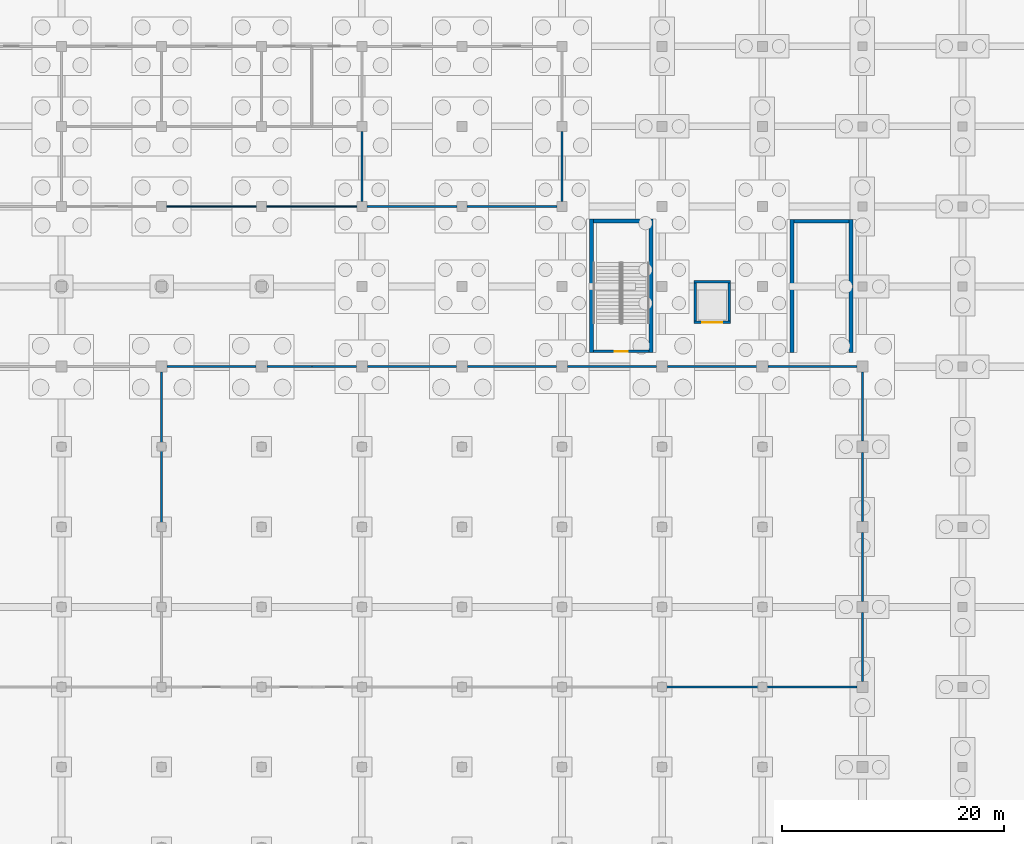
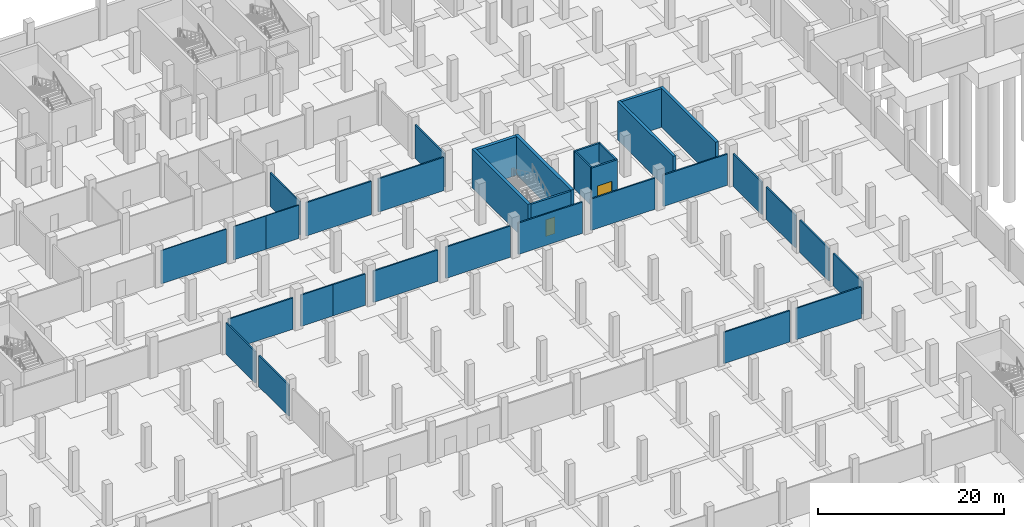
# One storey, part 21 of 39: 34 walls, 2 doors, 2 openings.
"""IFC4 building model written with IfcOpenShell, lengths in metres."""

import ifcopenshell
import ifcopenshell.guid

model = None  # the IFC model being written
_history = None  # IfcOwnerHistory: only IFC2X3 demands one
_inside = {}  # id of a spatial element -> (the spatial element, [elements in it])
_under = {}  # id of a project, library or spatial element -> (it, [spatial elements below it])
_declared = {}  # id of a project -> (the project, [libraries it declares])
_typed = {}  # id of a type object -> (the type object, [elements of that type])
_made_of = {}  # id of a material, layer set ... -> (it, [elements and type objects made of it])


def new_model(schema):
    """Start an empty IFC model of exactly this schema.

    Asked for "IFC4X3", IfcOpenShell would pick the latest addendum, in which some entities
    have other attributes; the version numbers below select the first issue.
    IFC2X3 requires an IfcOwnerHistory on every rooted entity: one is made here for all.
    """
    global model, _history
    if schema == "IFC4X3":
        model = ifcopenshell.file(schema_version=(4, 3, 0, 0))
    else:
        model = ifcopenshell.file(schema=schema)
    _inside.clear()
    _under.clear()
    _declared.clear()
    _typed.clear()
    _made_of.clear()
    _history = None
    if model.schema == "IFC2X3":
        org = make("IfcOrganization", Name="unknown")
        user = make(
            "IfcPersonAndOrganization",
            ThePerson=make("IfcPerson", FamilyName="unknown"),
            TheOrganization=org,
        )
        app = make(
            "IfcApplication",
            ApplicationDeveloper=org,
            Version="unknown",
            ApplicationFullName="unknown",
            ApplicationIdentifier="unknown",
        )
        _history = make(
            "IfcOwnerHistory",
            OwningUser=user,
            OwningApplication=app,
            ChangeAction="ADDED",
            CreationDate=0,
        )
    return model


def make(cls, **values):
    """One entity of the class cls with the attributes given. An attribute that is None is left unset."""
    return model.create_entity(
        cls, **{name: value for name, value in values.items() if value is not None}
    )


def rooted(cls, **values):
    """An entity with a GlobalId (a new one), such as an element, a storey or a relation."""
    return make(cls, GlobalId=ifcopenshell.guid.new(), OwnerHistory=_history, **values)


def si_unit(unit_type, name, prefix=None):
    """IfcSIUnit, for example si_unit("LENGTHUNIT", "METRE", prefix="MILLI")."""
    return make("IfcSIUnit", UnitType=unit_type, Prefix=prefix, Name=name)


def assignment(units):
    """IfcUnitAssignment: the units of a project."""
    return None if units is None else make("IfcUnitAssignment", Units=units)


def point(xyz):
    """IfcCartesianPoint."""
    return None if xyz is None else make("IfcCartesianPoint", Coordinates=xyz)


def direction(xyz):
    """IfcDirection."""
    return None if xyz is None else make("IfcDirection", DirectionRatios=xyz)


def frame(location, z_axis=None, x_axis=None):
    """IfcAxis2Placement3D, a coordinate frame: its origin and axes. An axis left out is left unset."""
    return make(
        "IfcAxis2Placement3D",
        Location=point(location),
        Axis=direction(z_axis),
        RefDirection=direction(x_axis),
    )


def frame_2d(location, x_axis=None):
    """IfcAxis2Placement2D, a coordinate frame in the plane: its origin and x axis."""
    return make(
        "IfcAxis2Placement2D", Location=point(location), RefDirection=direction(x_axis)
    )


def origin():
    """The frame at (0, 0, 0) with its axes left unset."""
    return frame((0.0, 0.0, 0.0))


def place(relative_to, where):
    """IfcLocalPlacement: puts the frame where relative to a parent placement (None: the world)."""
    return make(
        "IfcLocalPlacement", PlacementRelTo=relative_to, RelativePlacement=where
    )


def context(
    kind, dimensions, precision=None, world=None, true_north=None, identifier=None
):
    """IfcGeometricRepresentationContext, for example the 3D "Model" context."""
    return make(
        "IfcGeometricRepresentationContext",
        ContextIdentifier=identifier,
        ContextType=kind,
        CoordinateSpaceDimension=dimensions,
        Precision=precision,
        WorldCoordinateSystem=world,
        TrueNorth=true_north,
    )


def subcontext(parent, identifier, kind, view, scale=None):
    """IfcGeometricRepresentationSubContext, for example "Body" below "Model"."""
    return make(
        "IfcGeometricRepresentationSubContext",
        ContextIdentifier=identifier,
        ContextType=kind,
        ParentContext=parent,
        TargetScale=scale,
        TargetView=view,
    )


def project(units=None, contexts=None):
    """IfcProject with its units and contexts."""
    return rooted(
        "IfcProject",
        Name="project",
        RepresentationContexts=contexts,
        UnitsInContext=assignment(units),
    )


def spatial(cls, under=None, at=None, **own):
    """A site, building, storey or space (cls), placed at a placement, below another one or the project."""
    s = rooted(cls, ObjectPlacement=at, **own)
    if under is not None:
        _under.setdefault(under.id(), (under, []))[1].append(s)
    return s


def profile(cls, at=None, kind="AREA", **sizes):
    """A parametric profile (cls). Its sizes go by their IFC names, for example OverallWidth=200.0."""
    return make(cls, ProfileType=kind, Position=at, **sizes)


def rectangle(**sizes):
    """IfcRectangleProfileDef."""
    return profile("IfcRectangleProfileDef", **sizes)


def extrude(swept, where, along, depth):
    """IfcExtrudedAreaSolid: the profile swept, set in the frame where, extruded along a direction by depth."""
    return make(
        "IfcExtrudedAreaSolid",
        SweptArea=swept,
        Position=where,
        ExtrudedDirection=direction(along),
        Depth=depth,
    )


def shape(context_of_items, identifier, shape_type, items):
    """IfcShapeRepresentation: the items that make up one representation, for example the "Body"."""
    return make(
        "IfcShapeRepresentation",
        ContextOfItems=context_of_items,
        RepresentationIdentifier=identifier,
        RepresentationType=shape_type,
        Items=items,
    )


def material(Name=None, Category=None):
    """IfcMaterial."""
    return make("IfcMaterial", Name=Name, Category=Category)


def layer(
    of_material, thickness, ventilated=None, Name=None, Category=None, Priority=None
):
    """IfcMaterialLayer: one layer of a wall or slab, of a material (None: an air gap)."""
    return make(
        "IfcMaterialLayer",
        Material=of_material,
        LayerThickness=thickness,
        IsVentilated=ventilated,
        Name=Name,
        Category=Category,
        Priority=Priority,
    )


def layer_set(layers, Name=None):
    """IfcMaterialLayerSet."""
    return make("IfcMaterialLayerSet", MaterialLayers=layers, LayerSetName=Name)


def made_of(thing, what):
    """Note that an element or type object is made of a material, layer set ...; save() writes the relation."""
    if what is not None:
        _made_of.setdefault(what.id(), (what, []))[1].append(thing)
    return thing


def type_object(cls, material=None, **own):
    """A type object (cls), such as IfcWallType, which elements share."""
    return made_of(rooted(cls, **own), material)


def element(
    cls,
    number,
    at=None,
    inside=None,
    cuts=None,
    type_object=None,
    material=None,
    context=None,
    identifier="Body",
    shape_type=None,
    held_by="IfcProductDefinitionShape",
    body=None,
    shapes=None,
    **own,
):
    """One element of the class cls, such as IfcWall. Its Tag is "e" and its number.

    at: its placement. inside: the storey or other place that contains it. cuts: it is an
    opening in that element (IfcRelVoidsElement). A single representation is given by context,
    identifier, shape_type and body (its items); several are given by shapes. held_by: the class
    of the entity that holds the representations. save() writes the other relations.
    """
    e = rooted(cls, Tag="e%d" % number, ObjectPlacement=at, **own)
    if body is not None:
        shapes = [shape(context, identifier, shape_type, body)]
    if shapes is not None:
        e.Representation = make(held_by, Representations=shapes)
    if inside is not None:
        _inside.setdefault(inside.id(), (inside, []))[1].append(e)
    if cuts is not None:
        rooted(
            "IfcRelVoidsElement", RelatingBuildingElement=cuts, RelatedOpeningElement=e
        )
    if type_object is not None:
        _typed.setdefault(type_object.id(), (type_object, []))[1].append(e)
    return made_of(e, material)


def fill(opening, filler):
    """IfcRelFillsElement: the door or window that sits in an opening."""
    return rooted(
        "IfcRelFillsElement",
        RelatingOpeningElement=opening,
        RelatedBuildingElement=filler,
    )


def aggregate(whole, parts):
    """IfcRelAggregates: a whole, such as a stair, and the parts it consists of."""
    return rooted("IfcRelAggregates", RelatingObject=whole, RelatedObjects=parts)


def save(model, path):
    """Write the relations noted so far, then the file.

    IfcRelAggregates (storeys below a building ...), IfcRelContainedInSpatialStructure (elements
    in a storey), IfcRelDefinesByType, IfcRelAssociatesMaterial and IfcRelDeclares: one each for
    every whole, place, type object, material and project.
    """
    for whole, parts in _under.values():
        aggregate(whole, parts)
    for where, things in _inside.values():
        rooted(
            "IfcRelContainedInSpatialStructure",
            RelatedElements=things,
            RelatingStructure=where,
        )
    for kind, things in _typed.values():
        rooted("IfcRelDefinesByType", RelatedObjects=things, RelatingType=kind)
    for what, things in _made_of.values():
        rooted("IfcRelAssociatesMaterial", RelatedObjects=things, RelatingMaterial=what)
    for by, libraries in _declared.values():
        rooted("IfcRelDeclares", RelatingContext=by, RelatedDefinitions=libraries)
    model.write(path)


model = new_model("IFC4")

# Units and contexts
model_context = context("Model", 3, precision=1e-05, world=origin(), true_north=direction((0.0, 1.0)))
body_context = subcontext(model_context, "Body", "Model", "MODEL_VIEW")
ifc_project = project(units=[si_unit("LENGTHUNIT", "METRE"), si_unit("AREAUNIT", "SQUARE_METRE"), si_unit("VOLUMEUNIT", "CUBIC_METRE"), si_unit("PLANEANGLEUNIT", "RADIAN"), si_unit("MASSUNIT", "GRAM", prefix="KILO")], contexts=[model_context])

# Site, building, storey
site_placement = place(None, origin())
site = spatial("IfcSite", under=ifc_project, at=site_placement, CompositionType="ELEMENT")
building_placement = place(site_placement, origin())
building = spatial("IfcBuilding", under=site, at=building_placement, Name="Celestram Park Convention Centre", CompositionType="ELEMENT")
storey_placement = place(building_placement, frame((0.0, 0.0, -5.39990234375)))
storey = spatial("IfcBuildingStorey", under=building, at=storey_placement, Name="B1", CompositionType="ELEMENT", Elevation=-5.39990234375)

# Wall, opening, door
ifc_material_1 = material(Name="Concrete Block Masonry C25/30", Category="masonry")
ifc_layer_1 = layer(ifc_material_1, 0.25)
ifc_layer_set_1 = layer_set([ifc_layer_1], Name="Concrete Block Masonry C25/30")
wall_type_1 = type_object("IfcWallType", Name="ARC-WL-COR250", PredefinedType="STANDARD", material=ifc_layer_set_1)
wall_1_placement = place(storey_placement, frame((101.840087890625, 109.375, 0.0), z_axis=(0.0, 0.0, 1.0), x_axis=(1.0, 0.0, 0.0)))
wall_1 = element("IfcWall", 1, at=wall_1_placement, inside=storey, type_object=wall_type_1, Name="Core C3 stair entrance wall", PredefinedType="STANDARD", context=body_context, shape_type="SweptSolid", body=[
    extrude(rectangle(XDim=4.9599609375, YDim=0.25, at=frame_2d((2.47998046875, 0.0))), origin(), (0.0, 0.0, 1.0), 4.949951171875),
])
opening_1_placement = place(wall_1_placement, frame((1.905029296875, 0.0, 0.0)))
opening_1 = element("IfcOpeningElement", 2, at=opening_1_placement, cuts=wall_1, Name="Opening D-ST1", PredefinedType="OPENING", context=body_context, shape_type="SweptSolid", body=[
    extrude(rectangle(XDim=1.14990234375, YDim=2.199951171875, at=frame_2d((0.574951171875, 1.10009765625))), frame((0.0, 0.135009765625, 0.0), z_axis=(0.0, -1.0, 0.0), x_axis=(1.0, 0.0, 0.0)), (0.0, 0.0, 1.0), 0.27001953125),
])
ifc_material_2 = material(Name="Fire-Rated Hollow Metal Steel ASTM A653", Category="steel")
door_type_1 = type_object("IfcDoorType", Name="ARC-DR-ST115", OperationType="NOTDEFINED", PredefinedType="DOOR", material=ifc_material_2)
door_1_placement = place(opening_1_placement, origin())
door_1 = element("IfcDoor", 3, at=door_1_placement, inside=storey, type_object=door_type_1, Name="Exit stair ST-03 fire door", OperationType="SINGLE_SWING_LEFT", OverallHeight=2.199951171875, OverallWidth=1.14990234375, PredefinedType="DOOR", context=body_context, shape_type="SweptSolid", body=[
    extrude(rectangle(XDim=1.14990234375, YDim=2.199951171875, at=frame_2d((0.574951171875, 1.10009765625))), frame((0.0, 0.02490234375, 0.0), z_axis=(0.0, -1.0, 0.0), x_axis=(1.0, 0.0, 0.0)), (0.0, 0.0, 1.0), 0.050048828125),
])
fill(opening_1, door_1)

# Walls
ifc_material_3 = material(Name="Standard Gypsum & Steel Stud 120 mm", Category="steel")
ifc_layer_2 = layer(ifc_material_3, 0.1201171875)
ifc_layer_set_2 = layer_set([ifc_layer_2], Name="Standard Gypsum & Steel Stud 120 mm")
wall_type_2 = type_object("IfcWallType", Name="ARC-WL-PRT120", PredefinedType="PARTITIONING", material=ifc_layer_set_2)
wall_2_placement = place(storey_placement, frame((63.447998046875, 122.39990234375, 0.0), z_axis=(0.0, 0.0, 1.0), x_axis=(1.0, 0.0, 0.0)))
element("IfcWall", 4, at=wall_2_placement, inside=storey, type_object=wall_type_2, Name="Interior partition WL-B1-IN0479", PredefinedType="PARTITIONING", context=body_context, shape_type="SweptSolid", body=[
    extrude(rectangle(XDim=8.10400390625, YDim=0.1201171875, at=frame_2d((4.052001953125, 0.0))), origin(), (0.0, 0.0, 1.0), 4.3837890625),
])
for number, where, z_axis, x_axis, name in (
    (5, (72.447998046875, 122.39990234375, 0.0), (0.0, 0.0, 1.0), (1.0, 0.0, 0.0), "Interior partition WL-B1-IN0480"),
    (6, (76.5, 122.39990234375, 0.0), (0.0, 0.0, 1.0), (1.0, 0.0, 0.0), "Interior partition WL-B1-IN0481"),
):
    element("IfcWall", number, at=place(storey_placement, frame(where, z_axis=z_axis, x_axis=x_axis)), inside=storey, type_object=wall_type_2, Name=name, PredefinedType="PARTITIONING", context=body_context, shape_type="SweptSolid", body=[
        extrude(rectangle(XDim=4.052001953125, YDim=0.1201171875, at=frame_2d((2.02587890625, 0.0))), origin(), (0.0, 0.0, 1.0), 4.3837890625),
    ])
ifc_material_4 = material(Name="Fire-Rated Gypsum & Steel Stud 180 mm", Category="steel")
ifc_layer_3 = layer(ifc_material_4, 0.179931640625)
ifc_layer_set_3 = layer_set([ifc_layer_3], Name="Fire-Rated Gypsum & Steel Stud 180 mm")
wall_type_3 = type_object("IfcWallType", Name="ARC-WL-PRT180", PredefinedType="PARTITIONING", material=ifc_layer_set_3)
wall_3_placement = place(storey_placement, frame((108.39794921875, 79.199951171875, 0.0), z_axis=(0.0, 0.0, 1.0), x_axis=(1.0, 0.0, 0.0)))
element("IfcWall", 7, at=wall_3_placement, inside=storey, type_object=wall_type_3, Name="Interior partition WL-B1-IN0463", PredefinedType="PARTITIONING", context=body_context, shape_type="SweptSolid", body=[
    extrude(rectangle(XDim=8.2041015625, YDim=0.179931640625, at=frame_2d((4.10205078125, 0.0))), origin(), (0.0, 0.0, 1.0), 4.11279296875),
])
wall_4_placement = place(storey_placement, frame((117.39794921875, 79.199951171875, 0.0), z_axis=(0.0, 0.0, 1.0), x_axis=(1.0, 0.0, 0.0)))
element("IfcWall", 8, at=wall_4_placement, inside=storey, type_object=wall_type_3, Name="Interior partition WL-B1-IN0464", PredefinedType="PARTITIONING", context=body_context, shape_type="SweptSolid", body=[
    extrude(rectangle(XDim=8.10400390625, YDim=0.179931640625, at=frame_2d((4.052001953125, 0.0))), origin(), (0.0, 0.0, 1.0), 4.11279296875),
])
wall_5_placement = place(storey_placement, frame((63.498046875, 108.0, 0.0), z_axis=(0.0, 0.0, 1.0), x_axis=(1.0, 0.0, 0.0)))
element("IfcWall", 9, at=wall_5_placement, inside=storey, type_object=wall_type_3, Name="Interior partition WL-B1-IN0468", PredefinedType="PARTITIONING", context=body_context, shape_type="SweptSolid", body=[
    extrude(rectangle(XDim=8.00390625, YDim=0.179931640625, at=frame_2d((4.001953125, 0.0))), origin(), (0.0, 0.0, 1.0), 4.11279296875),
])
for number, where, z_axis, x_axis, name in (
    (10, (72.498046875, 108.0, 0.0), (0.0, 0.0, 1.0), (1.0, 0.0, 0.0), "Interior partition WL-B1-IN0469"),
    (11, (76.5, 108.0, 0.0), (0.0, 0.0, 1.0), (1.0, 0.0, 0.0), "Interior partition WL-B1-IN0470"),
):
    element("IfcWall", number, at=place(storey_placement, frame(where, z_axis=z_axis, x_axis=x_axis)), inside=storey, type_object=wall_type_3, Name=name, PredefinedType="PARTITIONING", context=body_context, shape_type="SweptSolid", body=[
        extrude(rectangle(XDim=4.001953125, YDim=0.179931640625, at=frame_2d((2.0009765625, 0.0))), origin(), (0.0, 0.0, 1.0), 4.11279296875),
    ])
for number, where, z_axis, x_axis, name in (
    (12, (81.498046875, 108.0, 0.0), (0.0, 0.0, 1.0), (1.0, 0.0, 0.0), "Interior partition WL-B1-IN0471"),
    (13, (90.498046875, 108.0, 0.0), (0.0, 0.0, 1.0), (1.0, 0.0, 0.0), "Interior partition WL-B1-IN0472"),
    (14, (99.498046875, 108.0, 0.0), (0.0, 0.0, 1.0), (1.0, 0.0, 0.0), "Interior partition WL-B1-IN0473"),
    (15, (108.498046875, 108.0, 0.0), (0.0, 0.0, 1.0), (1.0, 0.0, 0.0), "Interior partition WL-B1-IN0474"),
    (16, (117.498046875, 108.0, 0.0), (0.0, 0.0, 1.0), (1.0, 0.0, 0.0), "Interior partition WL-B1-IN0475"),
):
    element("IfcWall", number, at=place(storey_placement, frame(where, z_axis=z_axis, x_axis=x_axis)), inside=storey, type_object=wall_type_3, Name=name, PredefinedType="PARTITIONING", context=body_context, shape_type="SweptSolid", body=[
        extrude(rectangle(XDim=8.00390625, YDim=0.179931640625, at=frame_2d((4.001953125, 0.0))), origin(), (0.0, 0.0, 1.0), 4.11279296875),
    ])
for number, where, z_axis, x_axis, name in (
    (17, (81.447998046875, 122.39990234375, 0.0), (0.0, 0.0, 1.0), (1.0, 0.0, 0.0), "Interior partition WL-B1-IN0482"),
    (18, (90.447998046875, 122.39990234375, 0.0), (0.0, 0.0, 1.0), (1.0, 0.0, 0.0), "Interior partition WL-B1-IN0483"),
):
    element("IfcWall", number, at=place(storey_placement, frame(where, z_axis=z_axis, x_axis=x_axis)), inside=storey, type_object=wall_type_3, Name=name, PredefinedType="PARTITIONING", context=body_context, shape_type="SweptSolid", body=[
        extrude(rectangle(XDim=8.10400390625, YDim=0.179931640625, at=frame_2d((4.052001953125, 0.0))), origin(), (0.0, 0.0, 1.0), 4.3837890625),
    ])
wall_6_placement = place(storey_placement, frame((63.0, 93.998046875, 0.0), z_axis=(0.0, 0.0, 1.0), x_axis=(0.0, 1.0, 0.0)))
element("IfcWall", 19, at=wall_6_placement, inside=storey, type_object=wall_type_3, Name="Interior partition WL-B1-IN0510", PredefinedType="PARTITIONING", context=body_context, shape_type="SweptSolid", body=[
    extrude(rectangle(XDim=6.404052734375, YDim=0.179931640625, at=frame_2d((3.2021484375, 0.0))), origin(), (0.0, 0.0, 1.0), 4.11279296875),
])
wall_7_placement = place(storey_placement, frame((63.0, 101.197998046875, 0.0), z_axis=(0.0, 0.0, 1.0), x_axis=(0.0, 1.0, 0.0)))
element("IfcWall", 20, at=wall_7_placement, inside=storey, type_object=wall_type_3, Name="Interior partition WL-B1-IN0511", PredefinedType="PARTITIONING", context=body_context, shape_type="SweptSolid", body=[
    extrude(rectangle(XDim=6.303955078125, YDim=0.179931640625, at=frame_2d((3.15185546875, 0.0))), origin(), (0.0, 0.0, 1.0), 4.11279296875),
])
for number, where, z_axis, x_axis, name in (
    (21, (81.0, 122.847900390625, 0.0), (0.0, 0.0, 1.0), (0.0, 1.0, 0.0), "Interior partition WL-B1-IN0518"),
    (22, (99.0, 122.847900390625, 0.0), (0.0, 0.0, 1.0), (0.0, 1.0, 0.0), "Interior partition WL-B1-IN0520"),
):
    element("IfcWall", number, at=place(storey_placement, frame(where, z_axis=z_axis, x_axis=x_axis)), inside=storey, type_object=wall_type_3, Name=name, PredefinedType="PARTITIONING", context=body_context, shape_type="SweptSolid", body=[
        extrude(rectangle(XDim=6.30419921875, YDim=0.179931640625, at=frame_2d((3.152099609375, 0.0))), origin(), (0.0, 0.0, 1.0), 4.39697265625),
    ])
for number, where, z_axis, x_axis, name in (
    (23, (126.0, 79.697998046875, 0.0), (0.0, 0.0, 1.0), (0.0, 1.0, 0.0), "Interior partition WL-B1-IN0527"),
    (24, (126.0, 86.89794921875, 0.0), (0.0, 0.0, 1.0), (0.0, 1.0, 0.0), "Interior partition WL-B1-IN0528"),
    (25, (126.0, 94.097900390625, 0.0), (0.0, 0.0, 1.0), (0.0, 1.0, 0.0), "Interior partition WL-B1-IN0529"),
):
    element("IfcWall", number, at=place(storey_placement, frame(where, z_axis=z_axis, x_axis=x_axis)), inside=storey, type_object=wall_type_3, Name=name, PredefinedType="PARTITIONING", context=body_context, shape_type="SweptSolid", body=[
        extrude(rectangle(XDim=6.2041015625, YDim=0.179931640625, at=frame_2d((3.10205078125, 0.0))), origin(), (0.0, 0.0, 1.0), 4.267822265625),
    ])
wall_8_placement = place(storey_placement, frame((126.0, 101.298095703125, 0.0), z_axis=(0.0, 0.0, 1.0), x_axis=(0.0, 1.0, 0.0)))
element("IfcWall", 26, at=wall_8_placement, inside=storey, type_object=wall_type_3, Name="Interior partition WL-B1-IN0530", PredefinedType="PARTITIONING", context=body_context, shape_type="SweptSolid", body=[
    extrude(rectangle(XDim=6.203857421875, YDim=0.179931640625, at=frame_2d((3.10205078125, 0.0))), origin(), (0.0, 0.0, 1.0), 4.267822265625),
])

# Wall, opening, door
ifc_layer_4 = layer(ifc_material_1, 0.219970703125)
ifc_layer_set_4 = layer_set([ifc_layer_4], Name="Concrete Block Masonry C25/30")
wall_type_4 = type_object("IfcWallType", Name="ARC-WL-SHF220", PredefinedType="STANDARD", material=ifc_layer_set_4)
wall_9_placement = place(storey_placement, frame((110.8701171875, 111.97998046875, 0.0), z_axis=(0.0, 0.0, 1.0), x_axis=(1.0, 0.0, 0.0)))
wall_9 = element("IfcWall", 27, at=wall_9_placement, inside=storey, type_object=wall_type_4, Name="Lift LG-01 shaft wall S", PredefinedType="STANDARD", context=body_context, shape_type="SweptSolid", body=[
    extrude(rectangle(XDim=3.259765625, YDim=0.219970703125, at=frame_2d((1.6298828125, 0.0))), origin(), (0.0, 0.0, 1.0), 4.949951171875),
])
opening_2_placement = place(wall_9_placement, frame((0.72998046875, 0.0, 0.0)))
opening_2 = element("IfcOpeningElement", 28, at=opening_2_placement, cuts=wall_9, Name="Opening LD-02", PredefinedType="OPENING", context=body_context, shape_type="SweptSolid", body=[
    extrude(rectangle(XDim=1.800048828125, YDim=2.35009765625, at=frame_2d((0.89990234375, 1.175048828125))), frame((0.0, 0.119873046875, 0.0), z_axis=(0.0, -1.0, 0.0), x_axis=(1.0, 0.0, 0.0)), (0.0, 0.0, 1.0), 0.239990234375),
])
ifc_material_5 = material(Name="Heavy-Duty Stainless Steel AISI 304", Category="steel")
door_type_2 = type_object("IfcDoorType", Name="ARC-DR-LFG180", OperationType="NOTDEFINED", PredefinedType="DOOR", material=ifc_material_5)
door_2_placement = place(opening_2_placement, origin())
door_2 = element("IfcDoor", 29, at=door_2_placement, inside=storey, type_object=door_type_2, Name="Lift LG-01 sliding landing door", OperationType="DOUBLE_DOOR_SLIDING", OverallHeight=2.35009765625, OverallWidth=1.800048828125, PredefinedType="DOOR", context=body_context, shape_type="SweptSolid", body=[
    extrude(rectangle(XDim=1.800048828125, YDim=2.35009765625, at=frame_2d((0.89990234375, 1.175048828125))), frame((0.0, 0.02490234375, 0.0), z_axis=(0.0, -1.0, 0.0), x_axis=(1.0, 0.0, 0.0)), (0.0, 0.0, 1.0), 0.050048828125),
])
fill(opening_2, door_2)

# Walls
wall_10_placement = place(storey_placement, frame((114.1298828125, 115.6201171875, 0.0), z_axis=(0.0, 0.0, 1.0), x_axis=(-1.0, 0.0, 0.0)))
element("IfcWall", 30, at=wall_10_placement, inside=storey, type_object=wall_type_4, Name="Lift LG-01 shaft wall N", PredefinedType="STANDARD", context=body_context, shape_type="SweptSolid", body=[
    extrude(rectangle(XDim=3.259765625, YDim=0.219970703125, at=frame_2d((1.6298828125, 0.0))), origin(), (0.0, 0.0, 1.0), 4.949951171875),
])
for number, where, z_axis, x_axis, name in (
    (31, (110.97998046875, 115.510009765625, 0.0), (0.0, 0.0, 1.0), (0.0, -1.0, 0.0), "Lift LG-01 shaft wall W"),
    (32, (114.02001953125, 112.090087890625, 0.0), (0.0, 0.0, 1.0), (0.0, 1.0, 0.0), "Lift LG-01 shaft wall E"),
):
    element("IfcWall", number, at=place(storey_placement, frame(where, z_axis=z_axis, x_axis=x_axis)), inside=storey, type_object=wall_type_4, Name=name, PredefinedType="STANDARD", context=body_context, shape_type="SweptSolid", body=[
        extrude(rectangle(XDim=3.419921875, YDim=0.219970703125, at=frame_2d((1.7099609375, 0.0))), origin(), (0.0, 0.0, 1.0), 4.949951171875),
    ])
ifc_material_6 = material(Name="Concrete C40/50", Category="concrete")
ifc_layer_5 = layer(ifc_material_6, 0.340087890625)
ifc_layer_set_5 = layer_set([ifc_layer_5], Name="Concrete C40/50")
wall_type_5 = type_object("IfcWallType", Name="STR-WL-SHR340", PredefinedType="SHEAR", material=ifc_layer_set_5)
for number, where, z_axis, x_axis, name in (
    (33, (119.669921875, 109.25, 0.0), (0.0, 0.0, 1.0), (0.0, 1.0, 0.0), "Core S20 shear wall L"),
    (34, (124.969970703125, 121.239990234375, 0.0), (0.0, 0.0, 1.0), (0.0, -1.0, 0.0), "Core S20 shear wall R"),
):
    element("IfcWall", number, at=place(storey_placement, frame(where, z_axis=z_axis, x_axis=x_axis)), inside=storey, type_object=wall_type_5, Name=name, PredefinedType="SHEAR", context=body_context, shape_type="SweptSolid", body=[
        extrude(rectangle(XDim=11.989990234375, YDim=0.340087890625, at=frame_2d((5.9951171875, 0.0))), origin(), (0.0, 0.0, 1.0), 5.079833984375),
    ])
wall_11_placement = place(storey_placement, frame((119.840087890625, 121.070068359375, 0.0), z_axis=(0.0, 0.0, 1.0), x_axis=(1.0, 0.0, 0.0)))
element("IfcWall", 35, at=wall_11_placement, inside=storey, type_object=wall_type_5, Name="Core S20 shear wall F", PredefinedType="SHEAR", context=body_context, shape_type="SweptSolid", body=[
    extrude(rectangle(XDim=4.9599609375, YDim=0.340087890625, at=frame_2d((2.47998046875, 0.0))), origin(), (0.0, 0.0, 1.0), 5.079833984375),
])
ifc_layer_6 = layer(ifc_material_6, 0.3798828125)
ifc_layer_set_6 = layer_set([ifc_layer_6], Name="Concrete C40/50")
wall_type_6 = type_object("IfcWallType", Name="STR-WL-SHR380", PredefinedType="SHEAR", material=ifc_layer_set_6)
for number, where, z_axis, x_axis, name in (
    (36, (101.64990234375, 109.25, 0.0), (0.0, 0.0, 1.0), (0.0, 1.0, 0.0), "Core C3 shear wall L"),
    (37, (106.989990234375, 121.280029296875, 0.0), (0.0, 0.0, 1.0), (0.0, -1.0, 0.0), "Core C3 shear wall R"),
):
    element("IfcWall", number, at=place(storey_placement, frame(where, z_axis=z_axis, x_axis=x_axis)), inside=storey, type_object=wall_type_6, Name=name, PredefinedType="SHEAR", context=body_context, shape_type="SweptSolid", body=[
        extrude(rectangle(XDim=12.030029296875, YDim=0.3798828125, at=frame_2d((6.01513671875, 0.0))), origin(), (0.0, 0.0, 1.0), 5.079833984375),
    ])
wall_12_placement = place(storey_placement, frame((101.840087890625, 121.090087890625, 0.0), z_axis=(0.0, 0.0, 1.0), x_axis=(1.0, 0.0, 0.0)))
element("IfcWall", 38, at=wall_12_placement, inside=storey, type_object=wall_type_6, Name="Core C3 shear wall F", PredefinedType="SHEAR", context=body_context, shape_type="SweptSolid", body=[
    extrude(rectangle(XDim=4.9599609375, YDim=0.3798828125, at=frame_2d((2.47998046875, 0.0))), origin(), (0.0, 0.0, 1.0), 5.079833984375),
])

save(model, "model.ifc")
